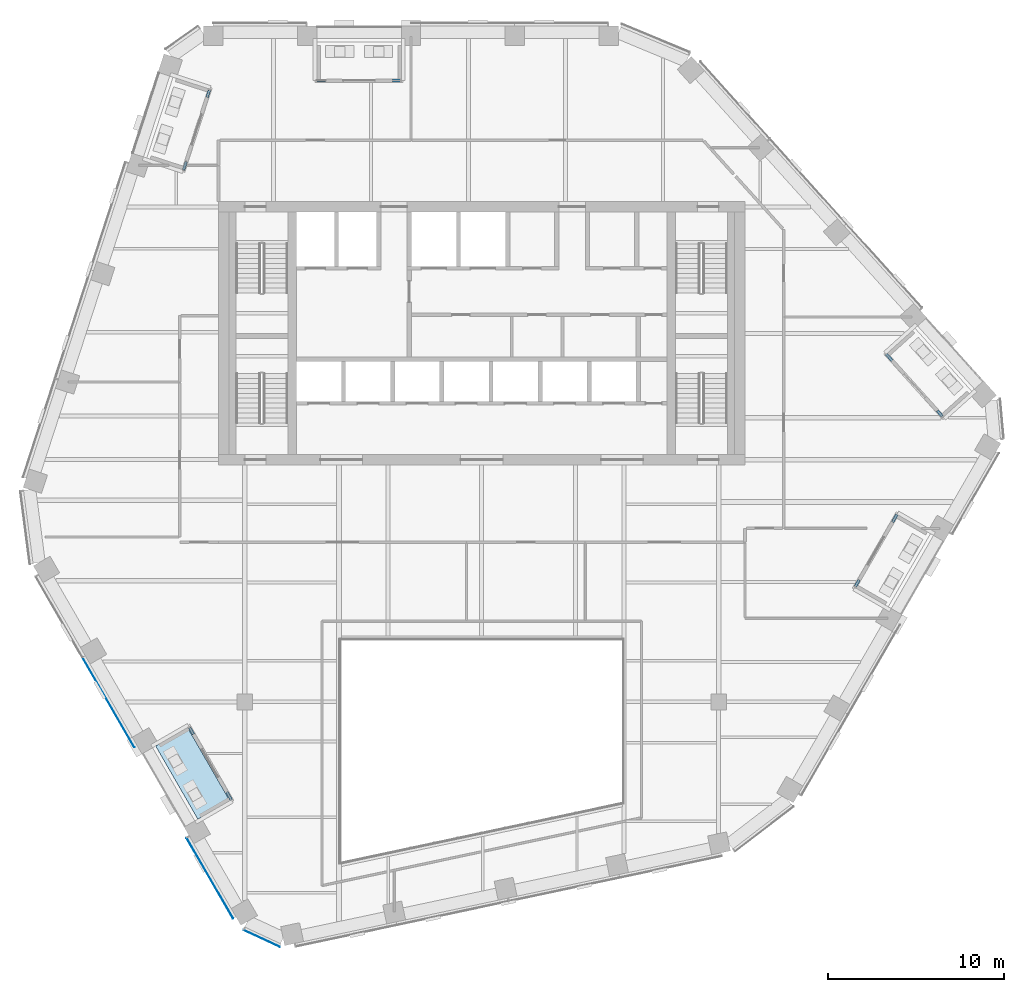
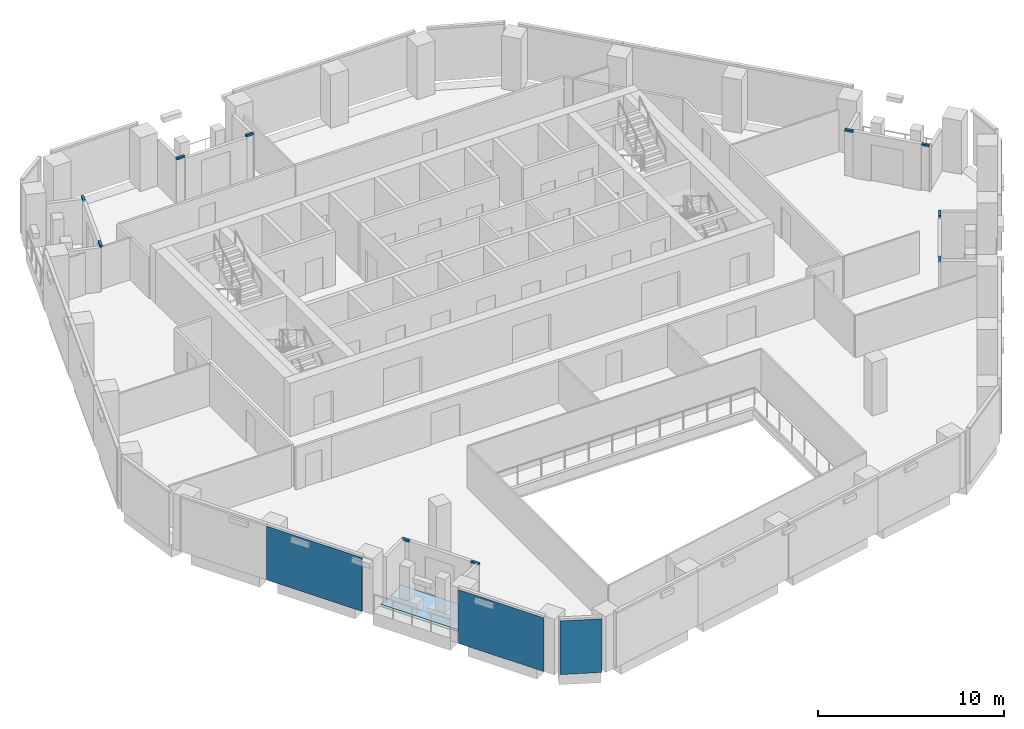
# One storey, part 10 of 25: 10 members, 3 plates, 1 slab, 7 elements without a shape of their own.
"""IFC4 building model written with IfcOpenShell, lengths in metres."""

from ifc_helpers import new_model, si_unit, direction, frame, origin, origin_2d, place, context, subcontext, project, spatial, polyline, rectangle, outline, extrude, material, layer, layer_set, material_profile, profile_set, type_object, element, aggregate, save


model = new_model("IFC4")

# Units and contexts
model_context = context("Model", 3, precision=1e-05, world=origin(), true_north=direction((0.0, 1.0)))
body_context = subcontext(model_context, "Body", "Model", "MODEL_VIEW")
ifc_project = project(units=[si_unit("LENGTHUNIT", "METRE"), si_unit("AREAUNIT", "SQUARE_METRE"), si_unit("VOLUMEUNIT", "CUBIC_METRE"), si_unit("PLANEANGLEUNIT", "RADIAN"), si_unit("MASSUNIT", "GRAM", prefix="KILO")], contexts=[model_context])

# Site, building, storey
site_placement = place(None, origin())
site = spatial("IfcSite", under=ifc_project, at=site_placement, CompositionType="ELEMENT")
building_placement = place(site_placement, origin())
building = spatial("IfcBuilding", under=site, at=building_placement, Name="Isthmus Gate Tower", CompositionType="ELEMENT")
storey_placement = place(building_placement, frame((0.0, 0.0, 249.14990234375)))
storey = spatial("IfcBuildingStorey", under=building, at=storey_placement, Name="L63", CompositionType="ELEMENT", Elevation=249.14990234375)

# Curtain wall, members
ifc_material_1 = material(Name="Aluminium, pale champagne anodised", Category="aluminium")
ifc_layer_1 = layer(ifc_material_1, 0.14990234375)
ifc_layer_set_1 = layer_set([ifc_layer_1], Name="CW-6 LOGGIA BACK WALL GLAZING 150 DEEP")
curtain_wall_type_1 = type_object("IfcCurtainWallType", Name="CW-6 LOGGIA BACK WALL GLAZING 150 DEEP", PredefinedType="NOTDEFINED", material=ifc_layer_set_1)
curtain_wall_1_placement = place(storey_placement, origin())
curtain_wall_1 = element("IfcCurtainWall", 1, at=curtain_wall_1_placement, inside=storey, type_object=curtain_wall_type_1, Name="CW-6 N L63", PredefinedType="NOTDEFINED")
ifc_material_2 = material(Name="Aluminium, pale champagne anodised", Category="aluminium")
ifc_material_profile = material_profile(ifc_material_2, rectangle(XDim=0.14990234375, YDim=0.1201171875, at=origin_2d()), Name="150x120")
ifc_profile_set = profile_set([ifc_material_profile], Name="Aluminium, pale champagne anodised")
member_type = type_object("IfcMemberType", Name="CW-6 TRANSOM 150 X 120", PredefinedType="USERDEFINED", material=ifc_profile_set)
member_1_placement = place(storey_placement, frame((-4.64013671875, 21.89990234375, 2.989990234375), z_axis=(-1.0, 0.0, 0.0), x_axis=(0.0, -1.0, 0.0)))
member_1 = element("IfcMember", 2, at=member_1_placement, type_object=member_type, Name="CW-6 transom", ObjectType="TRANSOM", PredefinedType="USERDEFINED", context=body_context, shape_type="SweptSolid", body=[
    extrude(rectangle(XDim=0.14990234375, YDim=0.1201171875, at=origin_2d()), origin(), (0.0, 0.0, 1.0), 0.43994140625),
])
member_2_placement = place(storey_placement, frame((-8.890625, 21.89990234375, 2.989990234375), z_axis=(-1.0, 0.0, 0.0), x_axis=(0.0, -1.0, 0.0)))
member_2 = element("IfcMember", 3, at=member_2_placement, type_object=member_type, Name="CW-6 transom", ObjectType="TRANSOM", PredefinedType="USERDEFINED", context=body_context, shape_type="SweptSolid", body=[
    extrude(rectangle(XDim=0.14990234375, YDim=0.1201171875, at=origin_2d()), origin(), (0.0, 0.0, 1.0), 0.5),
])
aggregate(curtain_wall_1, [member_1, member_2])

curtain_wall_2_placement = place(storey_placement, origin())
curtain_wall_2 = element("IfcCurtainWall", 4, at=curtain_wall_2_placement, inside=storey, type_object=curtain_wall_type_1, Name="CW-6 NW L63", PredefinedType="NOTDEFINED")
member_3_placement = place(storey_placement, frame((-15.514404296875, 21.353759765625, 2.989990234375), z_axis=(-0.309060979314, -0.951042223598, 0.0), x_axis=(0.951042223598, -0.309060979314, 0.0)))
member_3 = element("IfcMember", 5, at=member_3_placement, type_object=member_type, Name="CW-6 transom", ObjectType="TRANSOM", PredefinedType="USERDEFINED", context=body_context, shape_type="SweptSolid", body=[
    extrude(rectangle(XDim=0.14990234375, YDim=0.1201171875, at=origin_2d()), origin(), (0.0, 0.0, 1.0), 0.43994140625),
])
member_4_placement = place(storey_placement, frame((-16.83740234375, 17.281494140625, 2.989990234375), z_axis=(-0.309041914367, -0.951048418938, 0.0), x_axis=(0.951048418938, -0.309041914367, 0.0)))
member_4 = element("IfcMember", 6, at=member_4_placement, type_object=member_type, Name="CW-6 transom", ObjectType="TRANSOM", PredefinedType="USERDEFINED", context=body_context, shape_type="SweptSolid", body=[
    extrude(rectangle(XDim=0.14990234375, YDim=0.1201171875, at=origin_2d()), origin(), (0.0, 0.0, 1.0), 0.5),
])
aggregate(curtain_wall_2, [member_3, member_4])

curtain_wall_3_placement = place(storey_placement, origin())
curtain_wall_3 = element("IfcCurtainWall", 7, at=curtain_wall_3_placement, inside=storey, type_object=curtain_wall_type_1, Name="CW-6 SW L63", PredefinedType="NOTDEFINED")
member_5_placement = place(storey_placement, frame((-16.64599609375, -14.968505859375, 2.989990234375), z_axis=(0.500138869561, -0.865945212559, 0.0), x_axis=(0.865945212559, 0.500138869561, 0.0)))
member_5 = element("IfcMember", 8, at=member_5_placement, type_object=member_type, Name="CW-6 transom", ObjectType="TRANSOM", PredefinedType="USERDEFINED", context=body_context, shape_type="SweptSolid", body=[
    extrude(rectangle(XDim=0.14990234375, YDim=0.1201171875, at=origin_2d()), origin(), (0.0, 0.0, 1.0), 0.439697265625),
])
member_6_placement = place(storey_placement, frame((-14.5205078125, -18.649658203125, 2.989990234375), z_axis=(0.500131122175, -0.865949687125, 0.0), x_axis=(0.865949687125, 0.500131122175, 0.0)))
member_6 = element("IfcMember", 9, at=member_6_placement, type_object=member_type, Name="CW-6 transom", ObjectType="TRANSOM", PredefinedType="USERDEFINED", context=body_context, shape_type="SweptSolid", body=[
    extrude(rectangle(XDim=0.14990234375, YDim=0.1201171875, at=origin_2d()), origin(), (0.0, 0.0, 1.0), 0.499755859375),
])
aggregate(curtain_wall_3, [member_5, member_6])

curtain_wall_4_placement = place(storey_placement, origin())
curtain_wall_4 = element("IfcCurtainWall", 10, at=curtain_wall_4_placement, inside=storey, type_object=curtain_wall_type_1, Name="CW-6 SE L63", PredefinedType="NOTDEFINED")
member_7_placement = place(storey_placement, frame((21.285888671875, -6.931640625, 2.989990234375), z_axis=(0.500314561892, 0.865843715204, 0.0), x_axis=(-0.865843715204, 0.500314561892, 0.0)))
member_7 = element("IfcMember", 11, at=member_7_placement, type_object=member_type, Name="CW-6 transom", ObjectType="TRANSOM", PredefinedType="USERDEFINED", context=body_context, shape_type="SweptSolid", body=[
    extrude(rectangle(XDim=0.14990234375, YDim=0.1201171875, at=origin_2d()), origin(), (0.0, 0.0, 1.0), 0.440185546875),
])
member_8_placement = place(storey_placement, frame((23.411376953125, -3.25048828125, 2.989990234375), z_axis=(0.499919672301, 0.866071776036, 0.0), x_axis=(-0.866071776036, 0.499919672301, 0.0)))
member_8 = element("IfcMember", 12, at=member_8_placement, type_object=member_type, Name="CW-6 transom", ObjectType="TRANSOM", PredefinedType="USERDEFINED", context=body_context, shape_type="SweptSolid", body=[
    extrude(rectangle(XDim=0.14990234375, YDim=0.1201171875, at=origin_2d()), origin(), (0.0, 0.0, 1.0), 0.5),
])
aggregate(curtain_wall_4, [member_7, member_8])

curtain_wall_5_placement = place(storey_placement, origin())
curtain_wall_5 = element("IfcCurtainWall", 13, at=curtain_wall_5_placement, inside=storey, type_object=curtain_wall_type_1, Name="CW-6 NE L63", PredefinedType="NOTDEFINED")
member_9_placement = place(storey_placement, frame((26.25, 2.759033203125, 2.989990234375), z_axis=(-0.669240615525, 0.743045758033, 0.0), x_axis=(-0.743045758033, -0.669240615525, 0.0)))
member_9 = element("IfcMember", 14, at=member_9_placement, type_object=member_type, Name="CW-6 transom", ObjectType="TRANSOM", PredefinedType="USERDEFINED", context=body_context, shape_type="SweptSolid", body=[
    extrude(rectangle(XDim=0.14990234375, YDim=0.1201171875, at=origin_2d()), origin(), (0.0, 0.0, 1.0), 0.43994140625),
])
member_10_placement = place(storey_placement, frame((23.385009765625, 5.94091796875, 2.989990234375), z_axis=(-0.66928832033, 0.743002788871, 0.0), x_axis=(-0.743002788871, -0.66928832033, 0.0)))
member_10 = element("IfcMember", 15, at=member_10_placement, type_object=member_type, Name="CW-6 transom", ObjectType="TRANSOM", PredefinedType="USERDEFINED", context=body_context, shape_type="SweptSolid", body=[
    extrude(rectangle(XDim=0.14990234375, YDim=0.1201171875, at=origin_2d()), origin(), (0.0, 0.0, 1.0), 0.5),
])
aggregate(curtain_wall_5, [member_9, member_10])

# Curtain wall, plates
ifc_material_3 = material(Name="Aluminium, pale champagne anodised", Category="aluminium")
ifc_layer_2 = layer(ifc_material_3, 0.199951171875)
ifc_layer_set_2 = layer_set([ifc_layer_2], Name="CW-1 UNITISED CURTAIN WALL 200 DEEP")
curtain_wall_type_2 = type_object("IfcCurtainWallType", Name="CW-1 UNITISED CURTAIN WALL 200 DEEP", PredefinedType="NOTDEFINED", material=ifc_layer_set_2)
curtain_wall_6_placement = place(storey_placement, origin())
curtain_wall_6 = element("IfcCurtainWall", 16, at=curtain_wall_6_placement, inside=storey, type_object=curtain_wall_type_2, Name="CW-1 SW L63", PredefinedType="NOTDEFINED")
ifc_material_4 = material(Name="Laminated low-iron glass, pale blue tint", Category="glass")
ifc_layer_3 = layer(ifc_material_4, 0.031982421875)
ifc_layer_set_3 = layer_set([ifc_layer_3], Name="CW-1 CLEAR GLASS LITE 32")
plate_type = type_object("IfcPlateType", Name="CW-1 CLEAR GLASS LITE 32", PredefinedType="CURTAIN_PANEL", material=ifc_layer_set_3)
plate_1_placement = place(storey_placement, frame((-21.272705078125, -13.522705078125, 0.0), z_axis=(0.0, 0.0, 1.0), x_axis=(0.5, -0.866025403784, 0.0)))
plate_1 = element("IfcPlate", 17, at=plate_1_placement, type_object=plate_type, Name="CW-1 glass lite", PredefinedType="CURTAIN_PANEL", context=body_context, shape_type="SweptSolid", body=[
    extrude(rectangle(XDim=5.91064453125, YDim=0.031982421875, at=origin_2d()), origin(), (0.0, 0.0, 1.0), 3.52001953125),
])
plate_2_placement = place(storey_placement, frame((-15.484375, -23.548095703125, 0.0), z_axis=(0.0, 0.0, 1.0), x_axis=(0.5, -0.866025403784, 0.0)))
plate_2 = element("IfcPlate", 18, at=plate_2_placement, type_object=plate_type, Name="CW-1 glass lite", PredefinedType="CURTAIN_PANEL", context=body_context, shape_type="SweptSolid", body=[
    extrude(rectangle(XDim=5.300537109375, YDim=0.031982421875, at=origin_2d()), origin(), (0.0, 0.0, 1.0), 3.52001953125),
])
aggregate(curtain_wall_6, [plate_1, plate_2])

# Curtain wall, plate
curtain_wall_7_placement = place(storey_placement, origin())
curtain_wall_7 = element("IfcCurtainWall", 19, at=curtain_wall_7_placement, inside=storey, type_object=curtain_wall_type_2, Name="CW-1 SW-S L63", PredefinedType="NOTDEFINED")
plate_3_placement = place(storey_placement, frame((-12.531982421875, -26.9833984375, 0.0), z_axis=(0.0, 0.0, 1.0), x_axis=(0.907256261367, -0.420578264073, 0.0)))
plate_3 = element("IfcPlate", 20, at=plate_3_placement, type_object=plate_type, Name="CW-1 glass lite", PredefinedType="CURTAIN_PANEL", context=body_context, shape_type="SweptSolid", body=[
    extrude(rectangle(XDim=2.258544921875, YDim=0.031982421875, at=origin_2d()), origin(), (0.0, 0.0, 1.0), 3.52001953125),
])
aggregate(curtain_wall_7, [plate_3])

# Slab
ifc_material_5 = material(Name="Concrete f'c 50 MPa", Category="concrete")
ifc_layer_4 = layer(ifc_material_5, 0.14990234375)
ifc_layer_set_4 = layer_set([ifc_layer_4], Name="LOGGIA FLOOR SLAB 150")
slab_type = type_object("IfcSlabType", Name="LOGGIA FLOOR SLAB 150", PredefinedType="FLOOR", material=ifc_layer_set_4)
slab_placement = place(storey_placement, frame((0.0, 0.0, -0.14990234375)))
element("IfcSlab", 21, at=slab_placement, inside=storey, type_object=slab_type, Name="LOGGIA FLOOR", PredefinedType="FLOOR", context=body_context, shape_type="SweptSolid", body=[
    extrude(outline(polyline([(-18.5810546875, -16.016357421875), (-16.17578125, -20.1826171875), (-14.357177734375, -19.132568359375), (-16.762451171875, -14.966552734375), (-18.5810546875, -16.016357421875)])), origin(), (0.0, 0.0, 1.0), 0.14990234375),
])

save(model, "model.ifc")
